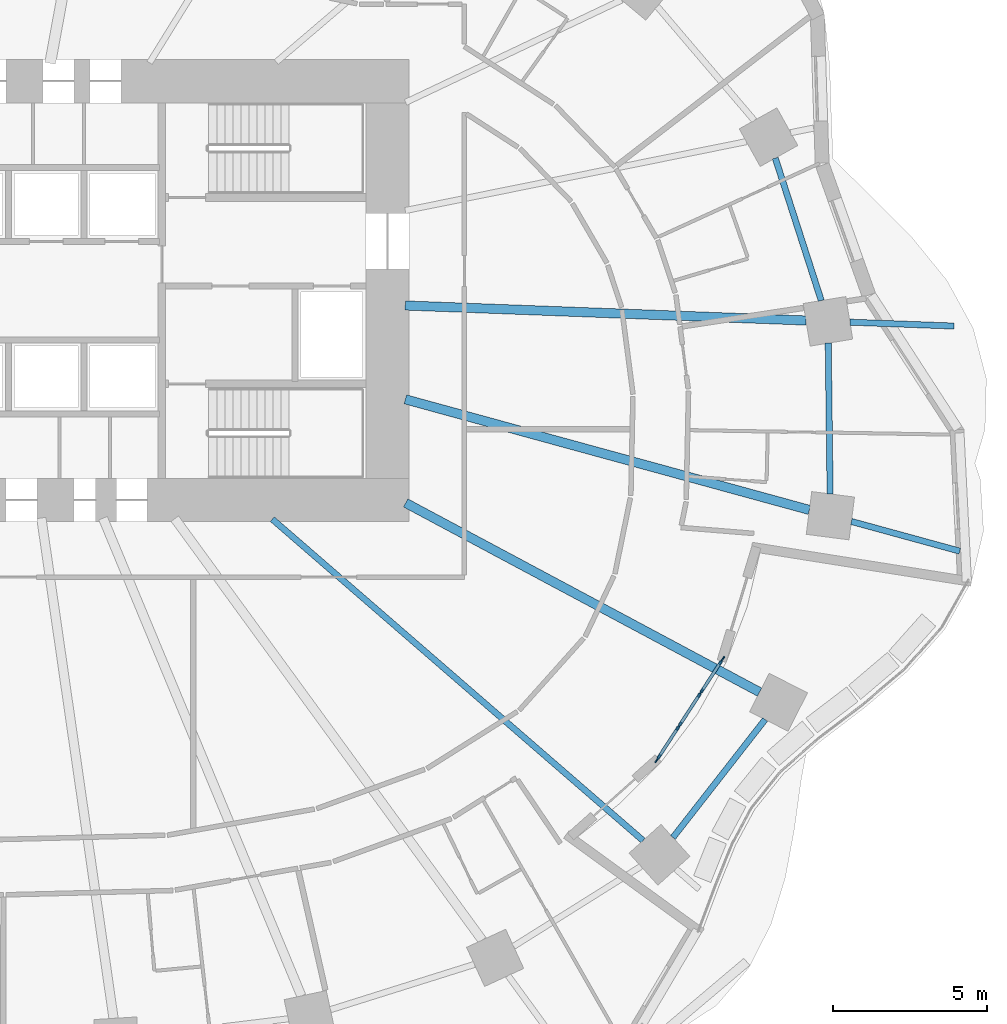
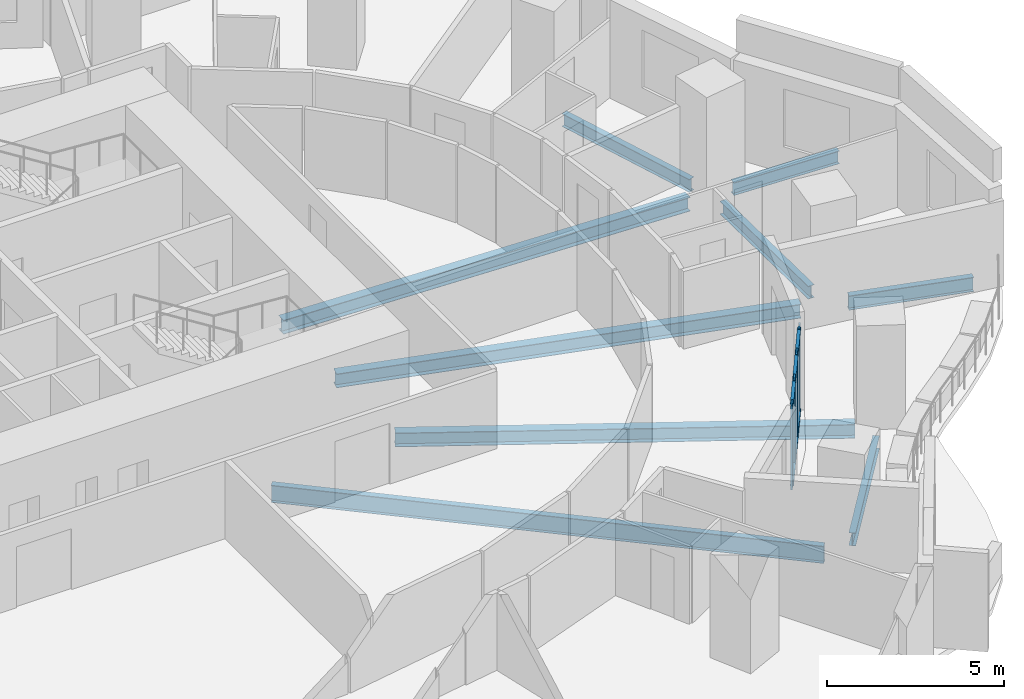
# One storey, part 2 of 14: 10 members, 9 beams, 1 element without a shape of its own.
"""IFC4 building model written with IfcOpenShell, lengths in metres."""

from ifc_helpers import new_model, si_unit, direction, frame, origin, origin_2d, place, context, subcontext, project, spatial, rectangle, i_section, extrude, material, material_profile, profile_set, type_object, element, aggregate, save


model = new_model("IFC4")

# Units and contexts
model_context = context("Model", 3, precision=1e-05, world=origin(), true_north=direction((0.0, 1.0)))
body_context = subcontext(model_context, "Body", "Model", "MODEL_VIEW")
ifc_project = project(units=[si_unit("LENGTHUNIT", "METRE"), si_unit("AREAUNIT", "SQUARE_METRE"), si_unit("VOLUMEUNIT", "CUBIC_METRE"), si_unit("PLANEANGLEUNIT", "RADIAN"), si_unit("MASSUNIT", "GRAM", prefix="KILO")], contexts=[model_context])

# Site, building, storey
site_placement = place(None, origin())
site = spatial("IfcSite", under=ifc_project, at=site_placement, CompositionType="ELEMENT")
building_placement = place(site_placement, origin())
building = spatial("IfcBuilding", under=site, at=building_placement, Name="Rubra Terraces Tower", CompositionType="ELEMENT")
storey_placement = place(building_placement, frame((0.0, 0.0, 62.699951171875)))
storey = spatial("IfcBuildingStorey", under=building, at=storey_placement, Name="L13", CompositionType="ELEMENT", Elevation=62.699951171875)

# Beams
ifc_material_1 = material(Name="Steel Q355B", Category="steel")
ifc_material_profile_1 = material_profile(ifc_material_1, i_section(OverallWidth=0.198974609375, OverallDepth=0.446044921875, WebThickness=0.008056640625, FlangeThickness=0.011962890625, at=origin_2d()), Name="HN 446x199x8x12")
ifc_profile_set_1 = profile_set([ifc_material_profile_1], Name="Steel Q355B")
beam_type_1 = type_object("IfcBeamType", Name="CANTILEVER BEAM HN 446x199x8x12", PredefinedType="BEAM", material=ifc_profile_set_1)
beam_1_placement = place(storey_placement, frame((27.319091796875, 3.47607421875, -0.4228515625), z_axis=(0.999304901347, -0.037278869946, 0.0), x_axis=(0.037278869946, 0.999304901347, 0.0)))
element("IfcBeam", 1, at=beam_1_placement, inside=storey, type_object=beam_type_1, Name="beam-L13-cant-01", PredefinedType="BEAM", context=body_context, shape_type="SweptSolid", body=[
    extrude(i_section(OverallWidth=0.198974609375, OverallDepth=0.446044921875, WebThickness=0.008056640625, FlangeThickness=0.011962890625, at=origin_2d()), origin(), (0.0, 0.0, 1.0), 3.37939453125),
])
ifc_material_profile_2 = material_profile(ifc_material_1, i_section(OverallWidth=0.198974609375, OverallDepth=0.49609375, WebThickness=0.009033203125, FlangeThickness=0.013916015625, at=origin_2d()), Name="HN 496x199x9x14")
ifc_profile_set_2 = profile_set([ifc_material_profile_2], Name="Steel Q355B")
beam_type_2 = type_object("IfcBeamType", Name="CANTILEVER BEAM HN 496x199x9x14", PredefinedType="BEAM", material=ifc_profile_set_2)
beam_2_placement = place(storey_placement, frame((27.365966796875, -2.9951171875, -0.447998046875), z_axis=(0.964494708629, -0.264102171568, 0.0), x_axis=(0.264102171568, 0.964494708629, 0.0)))
element("IfcBeam", 2, at=beam_2_placement, inside=storey, type_object=beam_type_2, Name="beam-L13-cant-24", PredefinedType="BEAM", context=body_context, shape_type="SweptSolid", body=[
    extrude(i_section(OverallWidth=0.198974609375, OverallDepth=0.49609375, WebThickness=0.009033203125, FlangeThickness=0.013916015625, at=origin_2d()), origin(), (0.0, 0.0, 1.0), 3.649658203125),
])
ifc_material_profile_3 = material_profile(ifc_material_1, i_section(OverallWidth=0.300048828125, OverallDepth=0.48193359375, WebThickness=0.010986328125, FlangeThickness=0.014892578125, at=origin_2d()), Name="HM 482x300x11x15")
ifc_profile_set_3 = profile_set([ifc_material_profile_3], Name="Steel Q355B")
beam_type_3 = type_object("IfcBeamType", Name="FLOOR BEAM HM 482x300x11x15", PredefinedType="BEAM", material=ifc_profile_set_3)
beam_3_placement = place(storey_placement, frame((25.89111328125, 3.530029296875, -0.44091796875), z_axis=(-0.999300088658, 0.037407657088, 0.0), x_axis=(-0.037407657088, -0.999300088658, 0.0)))
element("IfcBeam", 3, at=beam_3_placement, inside=storey, type_object=beam_type_3, Name="beam-L13-floor-01", PredefinedType="BEAM", context=body_context, shape_type="SweptSolid", body=[
    extrude(i_section(OverallWidth=0.300048828125, OverallDepth=0.48193359375, WebThickness=0.010986328125, FlangeThickness=0.014892578125, at=origin_2d()), origin(), (0.0, 0.0, 1.0), 13.020263671875),
])
beam_4_placement = place(storey_placement, frame((24.385009765625, -8.535888671875, -0.44091796875), z_axis=(-0.881896613876, 0.471442851716, 0.0), x_axis=(-0.471442851716, -0.881896613876, 0.0)))
element("IfcBeam", 4, at=beam_4_placement, inside=storey, type_object=beam_type_3, Name="beam-L13-floor-23", PredefinedType="BEAM", context=body_context, shape_type="SweptSolid", body=[
    extrude(i_section(OverallWidth=0.300048828125, OverallDepth=0.48193359375, WebThickness=0.010986328125, FlangeThickness=0.014892578125, at=origin_2d()), origin(), (0.0, 0.0, 1.0), 13.02978515625),
])
beam_5_placement = place(storey_placement, frame((26.001953125, -2.62109375, -0.44091796875), z_axis=(-0.964494059772, 0.264104541167, 0.0), x_axis=(-0.264104541167, -0.964494059772, 0.0)))
element("IfcBeam", 5, at=beam_5_placement, inside=storey, type_object=beam_type_3, Name="beam-L13-floor-24", PredefinedType="BEAM", context=body_context, shape_type="SweptSolid", body=[
    extrude(i_section(OverallWidth=0.300048828125, OverallDepth=0.48193359375, WebThickness=0.010986328125, FlangeThickness=0.014892578125, at=origin_2d()), origin(), (0.0, 0.0, 1.0), 13.600830078125),
])
ifc_material_profile_4 = material_profile(ifc_material_1, i_section(OverallWidth=0.198974609375, OverallDepth=0.595947265625, WebThickness=0.010009765625, FlangeThickness=0.014892578125, at=origin_2d()), Name="HN 596x199x10x15")
ifc_profile_set_4 = profile_set([ifc_material_profile_4], Name="Steel Q355B")
beam_type_4 = type_object("IfcBeamType", Name="FLOOR BEAM HN 596x199x10x15", PredefinedType="BEAM", material=ifc_profile_set_4)
beam_6_placement = place(storey_placement, frame((20.60205078125, -13.35498046875, -0.498046875), z_axis=(-0.755682003913, 0.654938706263, 0.0), x_axis=(-0.654938706263, -0.755682003913, 0.0)))
element("IfcBeam", 6, at=beam_6_placement, inside=storey, type_object=beam_type_4, Name="beam-L13-floor-22", PredefinedType="BEAM", context=body_context, shape_type="SweptSolid", body=[
    extrude(i_section(OverallWidth=0.198974609375, OverallDepth=0.595947265625, WebThickness=0.010009765625, FlangeThickness=0.014892578125, at=origin_2d()), origin(), (0.0, 0.0, 1.0), 15.931396484375),
])
ifc_material_profile_5 = material_profile(ifc_material_1, i_section(OverallWidth=0.198974609375, OverallDepth=0.446044921875, WebThickness=0.008056640625, FlangeThickness=0.011962890625, at=origin_2d()), Name="HN 446x199x8x12")
ifc_profile_set_5 = profile_set([ifc_material_profile_5], Name="Steel Q355B")
beam_type_5 = type_object("IfcBeamType", Name="SPANDREL BEAM HN 446x199x8x12", PredefinedType="SPANDREL", material=ifc_profile_set_5)
beam_7_placement = place(storey_placement, frame((26.387939453125, 4.177001953125, -0.4228515625), z_axis=(-0.30706880261, 0.951687317591, 0.0), x_axis=(-0.951687317591, -0.30706880261, 0.0)))
element("IfcBeam", 7, at=beam_7_placement, inside=storey, type_object=beam_type_5, Name="beam-L13-spandrel-01", PredefinedType="SPANDREL", context=body_context, shape_type="SweptSolid", body=[
    extrude(i_section(OverallWidth=0.198974609375, OverallDepth=0.446044921875, WebThickness=0.008056640625, FlangeThickness=0.011962890625, at=origin_2d()), origin(), (0.0, 0.0, 1.0), 4.86181640625),
])
beam_8_placement = place(storey_placement, frame((21.572998046875, -13.257080078125, -0.4228515625), z_axis=(0.615577734286, 0.788076172112, 0.0), x_axis=(-0.788076172112, 0.615577734286, 0.0)))
element("IfcBeam", 8, at=beam_8_placement, inside=storey, type_object=beam_type_5, Name="beam-L13-spandrel-22", PredefinedType="SPANDREL", context=body_context, shape_type="SweptSolid", body=[
    extrude(i_section(OverallWidth=0.198974609375, OverallDepth=0.446044921875, WebThickness=0.008056640625, FlangeThickness=0.011962890625, at=origin_2d()), origin(), (0.0, 0.0, 1.0), 4.85888671875),
])
beam_9_placement = place(storey_placement, frame((26.675048828125, -2.10107421875, -0.4228515625), z_axis=(-0.012465372298, 0.999922304228, 0.0), x_axis=(-0.999922304228, -0.012465372298, 0.0)))
element("IfcBeam", 9, at=beam_9_placement, inside=storey, type_object=beam_type_5, Name="beam-L13-spandrel-24", PredefinedType="SPANDREL", context=body_context, shape_type="SweptSolid", body=[
    extrude(i_section(OverallWidth=0.198974609375, OverallDepth=0.446044921875, WebThickness=0.008056640625, FlangeThickness=0.011962890625, at=origin_2d()), origin(), (0.0, 0.0, 1.0), 4.896484375),
])

# Curtain wall, members
ifc_material_2 = material(Name="Aluminium and glass", Category="aluminium")
curtain_wall_type = type_object("IfcCurtainWallType", Name="Curtain wall Terrace glazing", PredefinedType="NOTDEFINED", material=ifc_material_2)
curtain_wall_placement = place(storey_placement, origin())
curtain_wall = element("IfcCurtainWall", 10, at=curtain_wall_placement, inside=storey, type_object=curtain_wall_type, Name="Terrace glazing L13", PredefinedType="NOTDEFINED")
ifc_material_3 = material(Name="Aluminium, anodised dark grey", Category="aluminium")
ifc_material_profile_6 = material_profile(ifc_material_3, rectangle(XDim=0.050048828125, YDim=0.300048828125, at=origin_2d()), Name="AL 50x300")
ifc_profile_set_6 = profile_set([ifc_material_profile_6], Name="Aluminium, anodised dark grey")
member_type_1 = type_object("IfcMemberType", Name="Terrace glazing mullion 50 x 300", PredefinedType="MULLION", material=ifc_profile_set_6)
member_1_placement = place(storey_placement, frame((21.080078125, -10.695068359375, 0.0), z_axis=(0.0, 0.0, 1.0), x_axis=(-0.837636407321, 0.54622820243, 0.0)))
member_1 = element("IfcMember", 11, at=member_1_placement, type_object=member_type_1, Name="CW3 mullion 1", PredefinedType="MULLION", context=body_context, shape_type="SweptSolid", body=[
    extrude(rectangle(XDim=0.050048828125, YDim=0.300048828125, at=origin_2d()), origin(), (0.0, 0.0, 1.0), 2.91796875),
])
member_2_placement = place(storey_placement, frame((21.76806640625, -9.64013671875, 0.0), z_axis=(0.0, 0.0, 1.0), x_axis=(-0.837636407321, 0.54622820243, 0.0)))
member_2 = element("IfcMember", 12, at=member_2_placement, type_object=member_type_1, Name="CW3 mullion 2", PredefinedType="MULLION", context=body_context, shape_type="SweptSolid", body=[
    extrude(rectangle(XDim=0.050048828125, YDim=0.300048828125, at=origin_2d()), origin(), (0.0, 0.0, 1.0), 2.91796875),
])
member_3_placement = place(storey_placement, frame((22.4697265625, -8.564208984375, 0.0), z_axis=(0.0, 0.0, 1.0), x_axis=(-0.837636407321, 0.54622820243, 0.0)))
member_3 = element("IfcMember", 13, at=member_3_placement, type_object=member_type_1, Name="CW3 mullion 3", PredefinedType="MULLION", context=body_context, shape_type="SweptSolid", body=[
    extrude(rectangle(XDim=0.050048828125, YDim=0.300048828125, at=origin_2d()), origin(), (0.0, 0.0, 1.0), 2.91796875),
])
member_4_placement = place(storey_placement, frame((23.15771484375, -7.509033203125, 0.0), z_axis=(0.0, 0.0, 1.0), x_axis=(-0.837636407321, 0.54622820243, 0.0)))
member_4 = element("IfcMember", 14, at=member_4_placement, type_object=member_type_1, Name="CW3 mullion 4", PredefinedType="MULLION", context=body_context, shape_type="SweptSolid", body=[
    extrude(rectangle(XDim=0.050048828125, YDim=0.300048828125, at=origin_2d()), origin(), (0.0, 0.0, 1.0), 2.91796875),
])
ifc_material_profile_7 = material_profile(ifc_material_3, rectangle(XDim=0.10009765625, YDim=0.050048828125, at=origin_2d()), Name="AL 100x50")
ifc_profile_set_7 = profile_set([ifc_material_profile_7], Name="Aluminium, anodised dark grey")
member_type_2 = type_object("IfcMemberType", Name="Terrace glazing transom 100 x 50", PredefinedType="USERDEFINED", material=ifc_profile_set_7)
member_5_placement = place(storey_placement, frame((21.09375, -10.67431640625, 0.050048828125), z_axis=(0.546193893336, 0.837658779506, 0.0), x_axis=(-0.837658779506, 0.546193893336, 0.0)))
member_5 = element("IfcMember", 15, at=member_5_placement, type_object=member_type_2, Name="CW3 transom 1.1", ObjectType="TRANSOM", PredefinedType="USERDEFINED", context=body_context, shape_type="SweptSolid", body=[
    extrude(rectangle(XDim=0.10009765625, YDim=0.050048828125, at=origin_2d()), origin(), (0.0, 0.0, 1.0), 1.20947265625),
])
member_6_placement = place(storey_placement, frame((21.09375, -10.67431640625, 2.8681640625), z_axis=(0.546193893336, 0.837658779506, 0.0), x_axis=(-0.837658779506, 0.546193893336, 0.0)))
member_6 = element("IfcMember", 16, at=member_6_placement, type_object=member_type_2, Name="CW3 transom 1.2", ObjectType="TRANSOM", PredefinedType="USERDEFINED", context=body_context, shape_type="SweptSolid", body=[
    extrude(rectangle(XDim=0.10009765625, YDim=0.050048828125, at=origin_2d()), origin(), (0.0, 0.0, 1.0), 1.20947265625),
])
member_7_placement = place(storey_placement, frame((21.78173828125, -9.619140625, 0.050048828125), z_axis=(0.546183327841, 0.837665668622, 0.0), x_axis=(-0.837665668622, 0.546183327841, 0.0)))
member_7 = element("IfcMember", 17, at=member_7_placement, type_object=member_type_2, Name="CW3 transom 2.1", ObjectType="TRANSOM", PredefinedType="USERDEFINED", context=body_context, shape_type="SweptSolid", body=[
    extrude(rectangle(XDim=0.10009765625, YDim=0.050048828125, at=origin_2d()), origin(), (0.0, 0.0, 1.0), 1.234619140625),
])
member_8_placement = place(storey_placement, frame((21.78173828125, -9.619140625, 2.8681640625), z_axis=(0.546183327841, 0.837665668622, 0.0), x_axis=(-0.837665668622, 0.546183327841, 0.0)))
member_8 = element("IfcMember", 18, at=member_8_placement, type_object=member_type_2, Name="CW3 transom 2.2", ObjectType="TRANSOM", PredefinedType="USERDEFINED", context=body_context, shape_type="SweptSolid", body=[
    extrude(rectangle(XDim=0.10009765625, YDim=0.050048828125, at=origin_2d()), origin(), (0.0, 0.0, 1.0), 1.234619140625),
])
member_9_placement = place(storey_placement, frame((22.4833984375, -8.543212890625, 0.050048828125), z_axis=(0.546193893336, 0.837658779506, 0.0), x_axis=(-0.837658779506, 0.546193893336, 0.0)))
member_9 = element("IfcMember", 19, at=member_9_placement, type_object=member_type_2, Name="CW3 transom 3.1", ObjectType="TRANSOM", PredefinedType="USERDEFINED", context=body_context, shape_type="SweptSolid", body=[
    extrude(rectangle(XDim=0.10009765625, YDim=0.050048828125, at=origin_2d()), origin(), (0.0, 0.0, 1.0), 1.20947265625),
])
member_10_placement = place(storey_placement, frame((22.4833984375, -8.543212890625, 2.8681640625), z_axis=(0.546193893336, 0.837658779506, 0.0), x_axis=(-0.837658779506, 0.546193893336, 0.0)))
member_10 = element("IfcMember", 20, at=member_10_placement, type_object=member_type_2, Name="CW3 transom 3.2", ObjectType="TRANSOM", PredefinedType="USERDEFINED", context=body_context, shape_type="SweptSolid", body=[
    extrude(rectangle(XDim=0.10009765625, YDim=0.050048828125, at=origin_2d()), origin(), (0.0, 0.0, 1.0), 1.20947265625),
])
aggregate(curtain_wall, [member_1, member_2, member_3, member_4, member_5, member_6, member_7, member_8, member_9, member_10])

save(model, "model.ifc")
